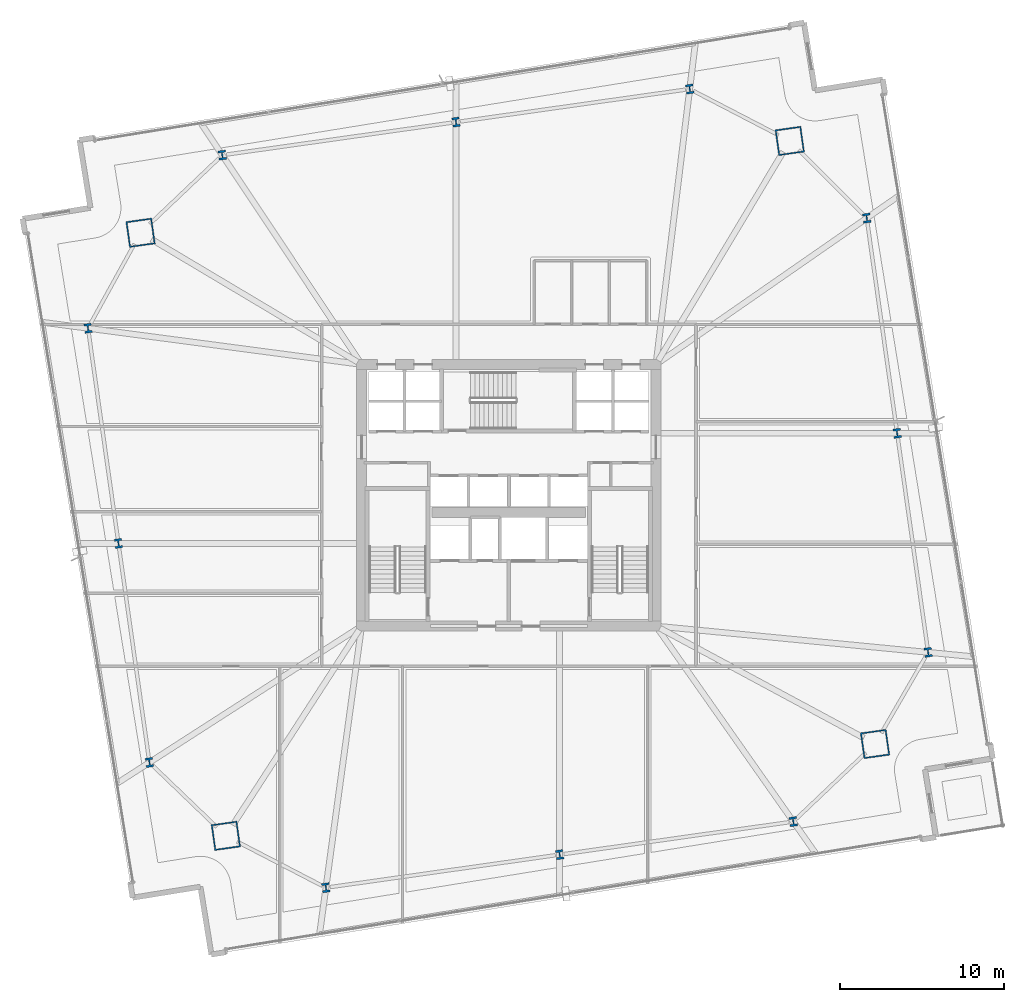
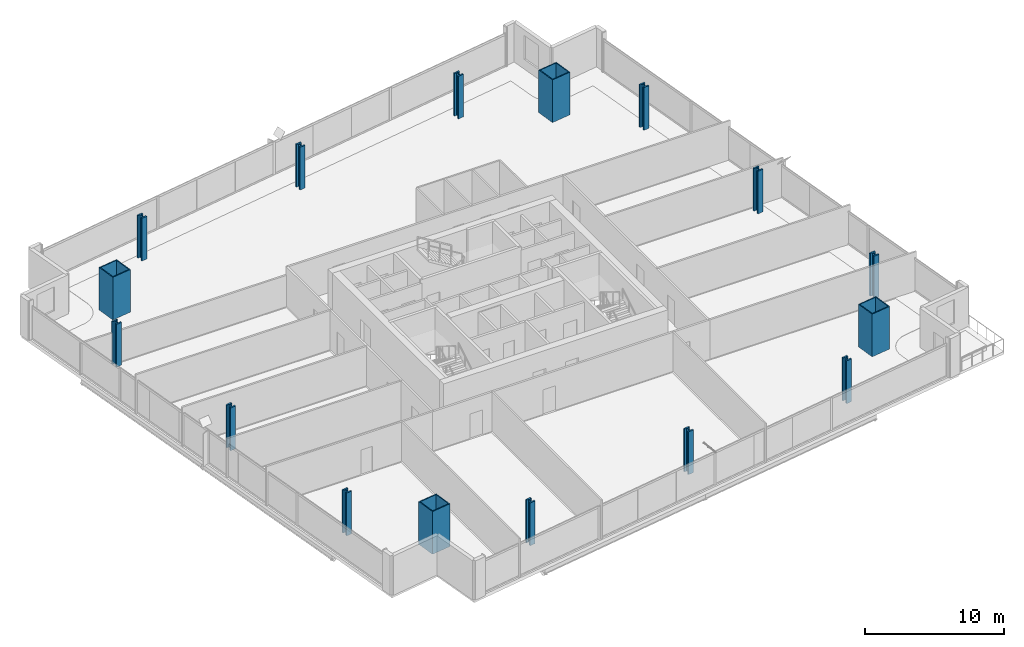
# One storey, part 1 of 33: 16 columns.
"""IFC4 building model written with IfcOpenShell, lengths in metres."""

from ifc_helpers import new_model, si_unit, direction, frame, origin, origin_2d, place, context, subcontext, project, spatial, hollow_rectangle, i_section, extrude, material, material_profile, profile_set, type_object, element, save


model = new_model("IFC4")

# Units and contexts
model_context = context("Model", 3, precision=1e-05, world=origin(), true_north=direction((0.0, 1.0)))
body_context = subcontext(model_context, "Body", "Model", "MODEL_VIEW")
ifc_project = project(units=[si_unit("LENGTHUNIT", "METRE"), si_unit("AREAUNIT", "SQUARE_METRE"), si_unit("VOLUMEUNIT", "CUBIC_METRE"), si_unit("PLANEANGLEUNIT", "RADIAN"), si_unit("MASSUNIT", "GRAM", prefix="KILO")], contexts=[model_context])

# Site, building, storey
site_placement = place(None, origin())
site = spatial("IfcSite", under=ifc_project, at=site_placement, CompositionType="ELEMENT")
building_placement = place(site_placement, origin())
building = spatial("IfcBuilding", under=site, at=building_placement, Name="Haldenkirk Collegiate Tower", CompositionType="ELEMENT")
storey_placement = place(building_placement, frame((0.0, 0.0, 58.949951171875)))
storey = spatial("IfcBuildingStorey", under=building, at=storey_placement, Name="L13", CompositionType="ELEMENT", Elevation=58.949951171875)

# Columns
ifc_material_1 = material(Name="Steel ASTM A913 Grade 65", Category="steel")
ifc_material_profile_1 = material_profile(ifc_material_1, i_section(OverallWidth=0.4541015625, OverallDepth=0.569091796875, WebThickness=0.077880859375, FlangeThickness=0.124755859375, at=origin_2d()), Name="W14X730")
ifc_profile_set_1 = profile_set([ifc_material_profile_1], Name="Steel ASTM A913 Grade 65")
column_type_1 = type_object("IfcColumnType", Name="COL-INT-W14X730", PredefinedType="COLUMN", material=ifc_profile_set_1)
for number, where, z_axis, x_axis, name in (
    (1, (24.815185546875, 1.997314453125, 0.0), (0.0, 0.0, 1.0), (0.990146240249, 0.140037219771, 0.0), "L13 perimeter gravity column PC-S1"),
    (2, (39.10888671875, 4.018798828125, 0.0), (0.0, 0.0, 1.0), (0.990146240249, 0.140037219771, 0.0), "L13 perimeter gravity column PC-S2"),
    (3, (53.402587890625, 6.040283203125, 0.0), (0.0, 0.0, 1.0), (0.990146240249, 0.140037219771, 0.0), "L13 perimeter gravity column PC-S3"),
    (4, (61.648193359375, 16.39306640625, 0.0), (0.0, 0.0, 1.0), (0.990146240249, 0.140037219771, 0.0), "L13 perimeter gravity column PC-E1"),
    (5, (59.75341796875, 29.788818359375, 0.0), (0.0, 0.0, 1.0), (0.990146240249, 0.140037219771, 0.0), "L13 perimeter gravity column PC-E2"),
    (6, (57.892333984375, 42.94873046875, 0.0), (0.0, 0.0, 1.0), (0.990146240249, 0.140037219771, 0.0), "L13 perimeter gravity column PC-E3"),
    (7, (47.06591796875, 50.844482421875, 0.0), (0.0, 0.0, 1.0), (0.990146240249, 0.140037219771, 0.0), "L13 perimeter gravity column PC-N1"),
    (8, (32.772216796875, 48.822998046875, 0.0), (0.0, 0.0, 1.0), (0.990146240249, 0.140037219771, 0.0), "L13 perimeter gravity column PC-N2"),
    (9, (18.478515625, 46.80126953125, 0.0), (0.0, 0.0, 1.0), (0.990146240249, 0.140037219771, 0.0), "L13 perimeter gravity column PC-N3"),
    (10, (10.26611328125, 36.212890625, 0.0), (0.0, 0.0, 1.0), (0.990146240249, 0.140037219771, 0.0), "L13 perimeter gravity column PC-W1"),
    (11, (12.12744140625, 23.052978515625, 0.0), (0.0, 0.0, 1.0), (0.990146240249, 0.140037219771, 0.0), "L13 perimeter gravity column PC-W2"),
    (12, (14.02197265625, 9.6572265625, 0.0), (0.0, 0.0, 1.0), (0.990146240249, 0.140037219771, 0.0), "L13 perimeter gravity column PC-W3"),
):
    element("IfcColumn", number, at=place(storey_placement, frame(where, z_axis=z_axis, x_axis=x_axis)), inside=storey, type_object=column_type_1, Name=name, PredefinedType="COLUMN", context=body_context, shape_type="SweptSolid", body=[
        extrude(i_section(OverallWidth=0.4541015625, OverallDepth=0.569091796875, WebThickness=0.077880859375, FlangeThickness=0.124755859375, at=origin_2d()), origin(), (0.0, 0.0, 1.0), 3.75),
    ])
ifc_material_2 = material(Name="Steel ASTM A572 Grade 50", Category="steel")
ifc_material_profile_2 = material_profile(ifc_material_2, hollow_rectangle(XDim=1.60009765625, YDim=1.60009765625, WallThickness=0.080078125, at=origin_2d()), Name="BOX1600X1600X80")
ifc_profile_set_2 = profile_set([ifc_material_profile_2], Name="Steel ASTM A572 Grade 50")
column_type_2 = type_object("IfcColumnType", Name="COL-MEGA-BOX1600X1600X80", PredefinedType="COLUMN", material=ifc_profile_set_2)
for number, where, z_axis, x_axis, name in (
    (13, (18.6962890625, 5.171630859375, 0.0), (0.0, 0.0, 1.0), (0.990146240249, 0.140037219771, 0.0), "L13 corner mega-column MC1"),
    (14, (58.401123046875, 10.787109375, 0.0), (0.0, 0.0, 1.0), (0.990146240249, 0.140037219771, 0.0), "L13 corner mega-column MC2"),
    (15, (53.184814453125, 47.669921875, 0.0), (0.0, 0.0, 1.0), (0.990146240249, 0.140037219771, 0.0), "L13 corner mega-column MC3"),
    (16, (13.47998046875, 42.054443359375, 0.0), (0.0, 0.0, 1.0), (0.990146240249, 0.140037219771, 0.0), "L13 corner mega-column MC4"),
):
    element("IfcColumn", number, at=place(storey_placement, frame(where, z_axis=z_axis, x_axis=x_axis)), inside=storey, type_object=column_type_2, Name=name, PredefinedType="COLUMN", context=body_context, shape_type="SweptSolid", body=[
        extrude(hollow_rectangle(XDim=1.60009765625, YDim=1.60009765625, WallThickness=0.080078125, at=origin_2d()), origin(), (0.0, 0.0, 1.0), 3.75),
    ])

save(model, "model.ifc")
